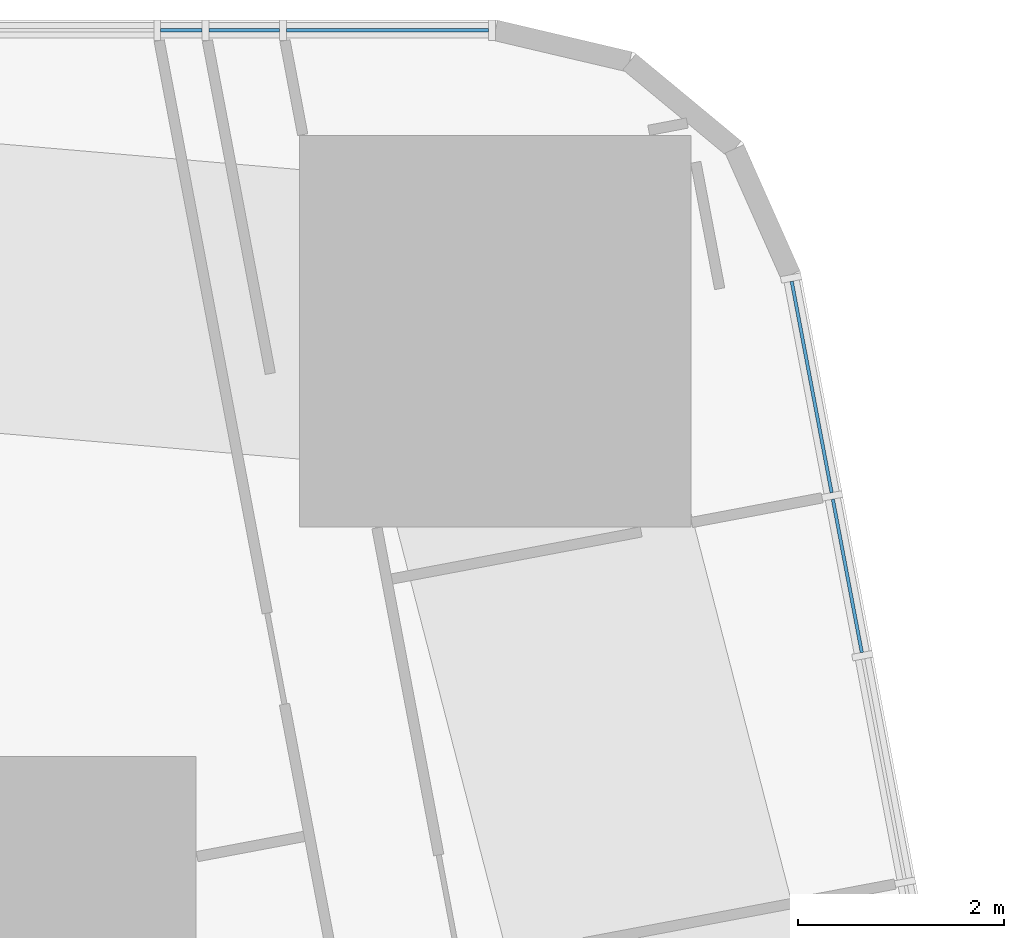
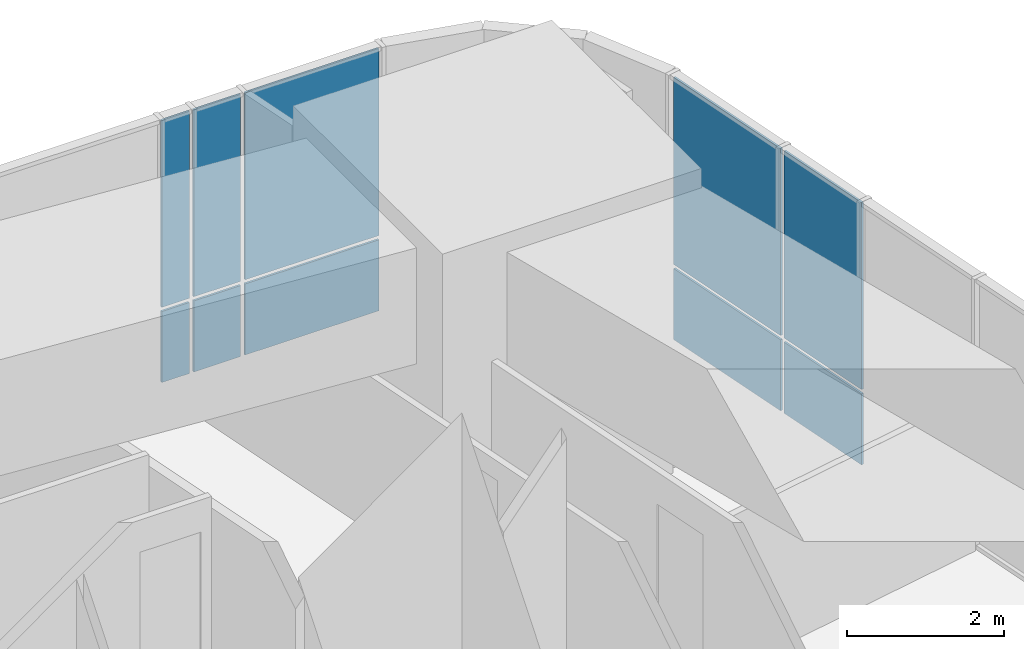
# One storey, part 13 of 22: 10 plates, 2 elements without a shape of their own.
"""IFC4 building model written with IfcOpenShell, lengths in metres."""

from ifc_helpers import new_model, si_unit, direction, frame, origin, origin_2d, place, context, subcontext, project, spatial, rectangle, extrude, material, layer, layer_set, type_object, element, aggregate, save


model = new_model("IFC4")

# Units and contexts
model_context = context("Model", 3, precision=1e-05, world=origin(), true_north=direction((0.0, 1.0)))
body_context = subcontext(model_context, "Body", "Model", "MODEL_VIEW")
ifc_project = project(units=[si_unit("LENGTHUNIT", "METRE"), si_unit("AREAUNIT", "SQUARE_METRE"), si_unit("VOLUMEUNIT", "CUBIC_METRE"), si_unit("PLANEANGLEUNIT", "RADIAN"), si_unit("MASSUNIT", "GRAM", prefix="KILO")], contexts=[model_context])

# Site, building, storey
site_placement = place(None, origin())
site = spatial("IfcSite", under=ifc_project, at=site_placement, CompositionType="ELEMENT")
building_placement = place(site_placement, origin())
building = spatial("IfcBuilding", under=site, at=building_placement, Name="Sheger Commons Tower", CompositionType="ELEMENT")
storey_placement = place(building_placement, frame((0.0, 0.0, 10.10009765625)))
storey = spatial("IfcBuildingStorey", under=building, at=storey_placement, Name="L02", CompositionType="ELEMENT", Elevation=10.10009765625)

# Curtain wall, plates
ifc_material_1 = material(Name="Black aluminium curtain wall, dark tinted glazing", Category="aluminium")
curtain_wall_type = type_object("IfcCurtainWallType", Name="CURTAIN WALL CW2 HEALTH CENTRE", PredefinedType="USERDEFINED", material=ifc_material_1)
curtain_wall_1_placement = place(storey_placement, origin())
curtain_wall_1 = element("IfcCurtainWall", 1, at=curtain_wall_1_placement, inside=storey, type_object=curtain_wall_type, Name="Curtain Wall Cw2 Health Centre E1 L02", ObjectType="STICK CURTAIN WALL", PredefinedType="USERDEFINED")
ifc_material_2 = material(Name="Dark tinted double glazing", Category="glass")
ifc_layer = layer(ifc_material_2, 0.031982421875)
ifc_layer_set = layer_set([ifc_layer], Name="GLAZED PANEL 32")
plate_type = type_object("IfcPlateType", Name="GLAZED PANEL 32", PredefinedType="CURTAIN_PANEL", material=ifc_layer_set)
plate_1_placement = place(storey_placement, frame((43.52197265625, 40.454833984375, 0.06494140625), z_axis=(0.0, 0.0, 1.0), x_axis=(-0.185609884918, 0.982623514181, 0.0)))
plate_1 = element("IfcPlate", 2, at=plate_1_placement, type_object=plate_type, Name="CW2 panel 18.1", PredefinedType="CURTAIN_PANEL", context=body_context, shape_type="SweptSolid", body=[
    extrude(rectangle(XDim=1.513916015625, YDim=0.031982421875, at=origin_2d()), origin(), (0.0, 0.0, 1.0), 1.1025390625),
])
plate_2_placement = place(storey_placement, frame((43.52197265625, 40.454833984375, 1.232421875), z_axis=(0.0, 0.0, 1.0), x_axis=(-0.185609884918, 0.982623514181, 0.0)))
plate_2 = element("IfcPlate", 3, at=plate_2_placement, type_object=plate_type, Name="CW2 panel 18.2", PredefinedType="CURTAIN_PANEL", context=body_context, shape_type="SweptSolid", body=[
    extrude(rectangle(XDim=1.513916015625, YDim=0.031982421875, at=origin_2d()), origin(), (0.0, 0.0, 1.0), 2.902587890625),
])
plate_3_placement = place(storey_placement, frame((43.17578125, 42.287841796875, 0.06494140625), z_axis=(0.0, 0.0, 1.0), x_axis=(-0.185609884918, 0.982623514181, 0.0)))
plate_3 = element("IfcPlate", 4, at=plate_3_placement, type_object=plate_type, Name="CW2 panel 19.1", PredefinedType="CURTAIN_PANEL", context=body_context, shape_type="SweptSolid", body=[
    extrude(rectangle(XDim=2.086669921875, YDim=0.031982421875, at=origin_2d()), origin(), (0.0, 0.0, 1.0), 1.1025390625),
])
plate_4_placement = place(storey_placement, frame((43.17578125, 42.287841796875, 1.232421875), z_axis=(0.0, 0.0, 1.0), x_axis=(-0.185609884918, 0.982623514181, 0.0)))
plate_4 = element("IfcPlate", 5, at=plate_4_placement, type_object=plate_type, Name="CW2 panel 19.2", PredefinedType="CURTAIN_PANEL", context=body_context, shape_type="SweptSolid", body=[
    extrude(rectangle(XDim=2.086669921875, YDim=0.031982421875, at=origin_2d()), origin(), (0.0, 0.0, 1.0), 2.902587890625),
])
aggregate(curtain_wall_1, [plate_1, plate_2, plate_3, plate_4])

curtain_wall_2_placement = place(storey_placement, origin())
curtain_wall_2 = element("IfcCurtainWall", 6, at=curtain_wall_2_placement, inside=storey, type_object=curtain_wall_type, Name="Curtain Wall Cw2 Health Centre N1 L02", ObjectType="STICK CURTAIN WALL", PredefinedType="USERDEFINED")
plate_5_placement = place(storey_placement, frame((39.058837890625, 45.75, 0.06494140625), z_axis=(0.0, 0.0, 1.0), x_axis=(-1.0, 0.0, 0.0)))
plate_5 = element("IfcPlate", 7, at=plate_5_placement, type_object=plate_type, Name="CW2 panel 1.1", PredefinedType="CURTAIN_PANEL", context=body_context, shape_type="SweptSolid", body=[
    extrude(rectangle(XDim=1.964599609375, YDim=0.031982421875, at=origin_2d()), origin(), (0.0, 0.0, 1.0), 1.1025390625),
])
plate_6_placement = place(storey_placement, frame((39.058837890625, 45.75, 1.232421875), z_axis=(0.0, 0.0, 1.0), x_axis=(-1.0, 0.0, 0.0)))
plate_6 = element("IfcPlate", 8, at=plate_6_placement, type_object=plate_type, Name="CW2 panel 1.2", PredefinedType="CURTAIN_PANEL", context=body_context, shape_type="SweptSolid", body=[
    extrude(rectangle(XDim=1.964599609375, YDim=0.031982421875, at=origin_2d()), origin(), (0.0, 0.0, 1.0), 2.902587890625),
])
plate_7_placement = place(storey_placement, frame((37.66796875, 45.75, 0.06494140625), z_axis=(0.0, 0.0, 1.0), x_axis=(-1.0, 0.0, 0.0)))
plate_7 = element("IfcPlate", 9, at=plate_7_placement, type_object=plate_type, Name="CW2 panel 2.1", PredefinedType="CURTAIN_PANEL", context=body_context, shape_type="SweptSolid", body=[
    extrude(rectangle(XDim=0.68701171875, YDim=0.031982421875, at=origin_2d()), origin(), (0.0, 0.0, 1.0), 1.1025390625),
])
plate_8_placement = place(storey_placement, frame((37.66796875, 45.75, 1.232421875), z_axis=(0.0, 0.0, 1.0), x_axis=(-1.0, 0.0, 0.0)))
plate_8 = element("IfcPlate", 10, at=plate_8_placement, type_object=plate_type, Name="CW2 panel 2.2", PredefinedType="CURTAIN_PANEL", context=body_context, shape_type="SweptSolid", body=[
    extrude(rectangle(XDim=0.68701171875, YDim=0.031982421875, at=origin_2d()), origin(), (0.0, 0.0, 1.0), 2.902587890625),
])
plate_9_placement = place(storey_placement, frame((37.0576171875, 45.75, 0.06494140625), z_axis=(0.0, 0.0, 1.0), x_axis=(-1.0, 0.0, 0.0)))
plate_9 = element("IfcPlate", 11, at=plate_9_placement, type_object=plate_type, Name="CW2 panel 3.1", PredefinedType="CURTAIN_PANEL", context=body_context, shape_type="SweptSolid", body=[
    extrude(rectangle(XDim=0.404052734375, YDim=0.031982421875, at=origin_2d()), origin(), (0.0, 0.0, 1.0), 1.1025390625),
])
plate_10_placement = place(storey_placement, frame((37.0576171875, 45.75, 1.232421875), z_axis=(0.0, 0.0, 1.0), x_axis=(-1.0, 0.0, 0.0)))
plate_10 = element("IfcPlate", 12, at=plate_10_placement, type_object=plate_type, Name="CW2 panel 3.2", PredefinedType="CURTAIN_PANEL", context=body_context, shape_type="SweptSolid", body=[
    extrude(rectangle(XDim=0.404052734375, YDim=0.031982421875, at=origin_2d()), origin(), (0.0, 0.0, 1.0), 2.902587890625),
])
aggregate(curtain_wall_2, [plate_5, plate_6, plate_7, plate_8, plate_9, plate_10])

save(model, "model.ifc")
